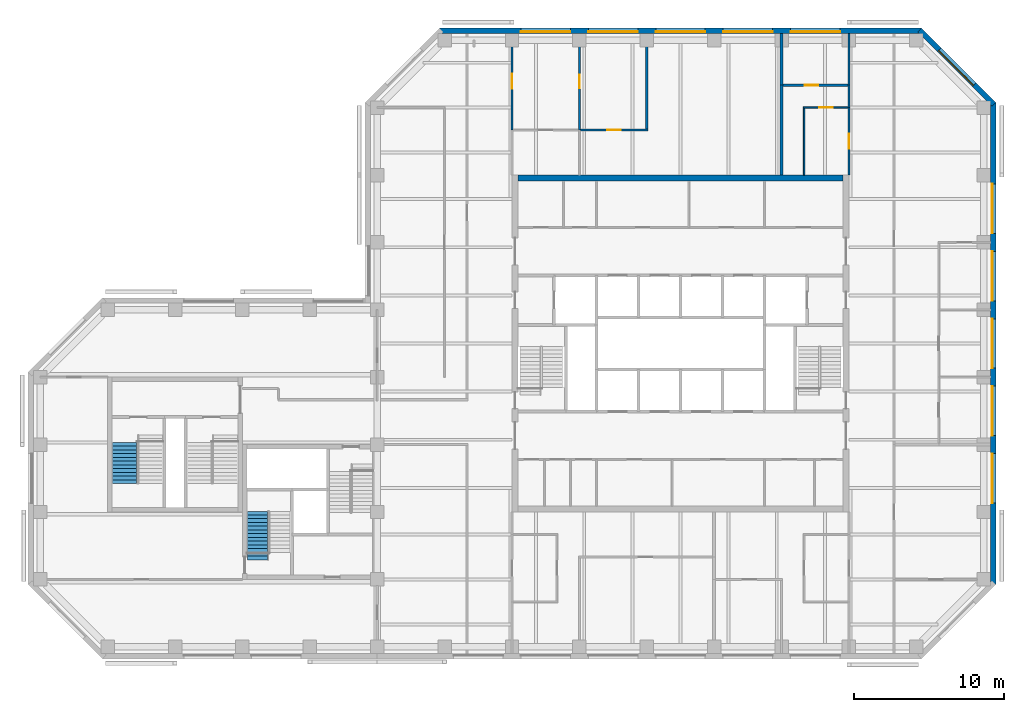
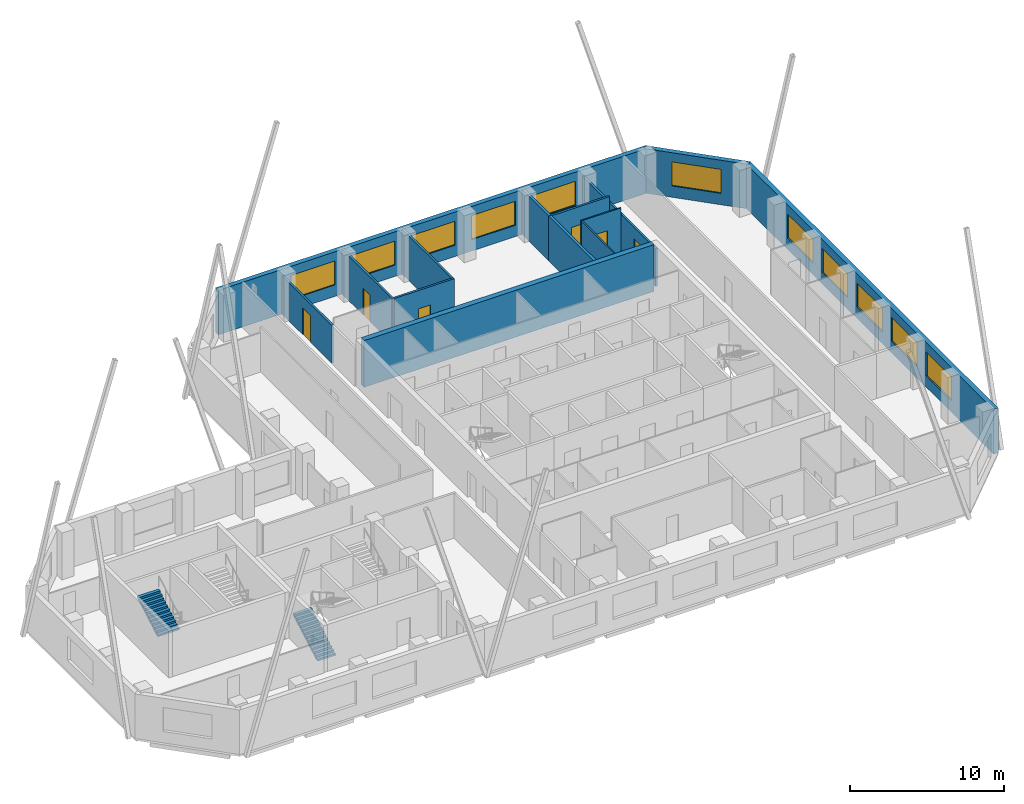
# One storey, part 7 of 9: 16 walls, 11 windows, 6 doors, 2 stair flights, 17 openings, 2 elements without a shape of their own.
"""IFC4 building model written with IfcOpenShell, lengths in metres."""

from ifc_helpers import new_model, si_unit, direction, frame, frame_2d, origin, place, context, subcontext, project, spatial, polyline, rectangle, outline, extrude, material, layer, layer_set, constituent, constituent_set, type_object, element, fill, aggregate, save


model = new_model("IFC4")

# Units and contexts
model_context = context("Model", 3, precision=1e-05, world=origin(), true_north=direction((0.0, 1.0)))
body_context = subcontext(model_context, "Body", "Model", "MODEL_VIEW")
ifc_project = project(units=[si_unit("LENGTHUNIT", "METRE"), si_unit("AREAUNIT", "SQUARE_METRE"), si_unit("VOLUMEUNIT", "CUBIC_METRE"), si_unit("PLANEANGLEUNIT", "RADIAN"), si_unit("MASSUNIT", "GRAM", prefix="KILO")], contexts=[model_context])

# Site, building, storey
site_placement = place(None, origin())
site = spatial("IfcSite", under=ifc_project, at=site_placement, CompositionType="ELEMENT")
building_placement = place(site_placement, origin())
building = spatial("IfcBuilding", under=site, at=building_placement, Name="Quoin Convention Tower", CompositionType="ELEMENT")
storey_placement = place(building_placement, frame((0.0, 0.0, 219.300048828125)))
storey = spatial("IfcBuildingStorey", under=building, at=storey_placement, Name="L57", CompositionType="ELEMENT", Elevation=219.300048828125)

# Wall, opening, door
ifc_material_1 = material(Name="Plasterboard")
ifc_layer_1 = layer(ifc_material_1, 0.012451171875, Name="Finish")
ifc_material_2 = material(Name="Steel stud framing", Category="steel")
ifc_layer_2 = layer(ifc_material_2, 0.125, Name="Structure")
ifc_layer_3 = layer(ifc_material_1, 0.012451171875, Name="Finish")
ifc_layer_set_1 = layer_set([ifc_layer_1, ifc_layer_2, ifc_layer_3], Name="Steel stud framing")
wall_type_1 = type_object("IfcWallType", Name="Acoustic partition 150", PredefinedType="PARTITIONING", material=ifc_layer_set_1)
wall_1_placement = place(storey_placement, frame((49.574951171875, 75.0, 0.0), z_axis=(0.0, 0.0, 1.0), x_axis=(1.0, 0.0, 0.0)))
wall_1 = element("IfcWall", 1, at=wall_1_placement, inside=storey, type_object=wall_type_1, Name="pw-L57-022", PredefinedType="PARTITIONING", context=body_context, shape_type="SweptSolid", body=[
    extrude(rectangle(XDim=4.5, YDim=0.14990234375, at=frame_2d((2.25, 0.0))), origin(), (0.0, 0.0, 1.0), 3.550048828125),
])
opening_1_placement = place(wall_1_placement, frame((1.800048828125, 0.0, 0.0)))
opening_1 = element("IfcOpeningElement", 2, at=opening_1_placement, cuts=wall_1, Name="Opening DOH9-06", PredefinedType="OPENING", context=body_context, shape_type="SweptSolid", body=[
    extrude(rectangle(XDim=0.89990234375, YDim=2.10009765625, at=frame_2d((0.449951171875, 1.050048828125))), frame((0.0, 0.0849609375, 0.0), z_axis=(0.0, -1.0, 0.0), x_axis=(1.0, 0.0, 0.0)), (0.0, 0.0, 1.0), 0.169921875),
])
ifc_material_3 = material(Name="Steel door leaf", Category="steel")
door_type_1 = type_object("IfcDoorType", Name="Office door 900 x 2100", OperationType="SINGLE_SWING_RIGHT", PredefinedType="DOOR", material=ifc_material_3)
door_1_placement = place(opening_1_placement, frame((0.89990234375, 0.0, 0.0), z_axis=(0.0, 0.0, 1.0), x_axis=(-1.0, 0.0, 0.0)))
door_1 = element("IfcDoor", 3, at=door_1_placement, inside=storey, type_object=door_type_1, Name="dr-L57-16", OperationType="SINGLE_SWING_LEFT", OverallHeight=2.10009765625, OverallWidth=0.89990234375, PredefinedType="DOOR", context=body_context, shape_type="SweptSolid", body=[
    extrude(rectangle(XDim=0.89990234375, YDim=2.10009765625, at=frame_2d((0.449951171875, 1.050048828125))), frame((0.0, 0.02490234375, 0.0), z_axis=(0.0, -1.0, 0.0), x_axis=(1.0, 0.0, 0.0)), (0.0, 0.0, 1.0), 0.050048828125),
])
fill(opening_1, door_1)

wall_2_placement = place(storey_placement, frame((63.10009765625, 78.0, 0.0), z_axis=(0.0, 0.0, 1.0), x_axis=(1.0, 0.0, 0.0)))
wall_2 = element("IfcWall", 4, at=wall_2_placement, inside=storey, type_object=wall_type_1, Name="pw-L57-024", PredefinedType="PARTITIONING", context=body_context, shape_type="SweptSolid", body=[
    extrude(rectangle(XDim=4.324951171875, YDim=0.14990234375, at=frame_2d((2.16259765625, 0.0))), origin(), (0.0, 0.0, 1.0), 3.550048828125),
])
opening_2_placement = place(wall_2_placement, frame((1.449951171875, 0.0, 0.0)))
opening_2 = element("IfcOpeningElement", 5, at=opening_2_placement, cuts=wall_2, Name="Opening DOH9-08", PredefinedType="OPENING", context=body_context, shape_type="SweptSolid", body=[
    extrude(rectangle(XDim=0.89990234375, YDim=2.10009765625, at=frame_2d((0.449951171875, 1.050048828125))), frame((0.0, 0.0849609375, 0.0), z_axis=(0.0, -1.0, 0.0), x_axis=(1.0, 0.0, 0.0)), (0.0, 0.0, 1.0), 0.169921875),
])
door_2_placement = place(opening_2_placement, origin())
door_2 = element("IfcDoor", 6, at=door_2_placement, inside=storey, type_object=door_type_1, Name="dr-L57-19", OperationType="SINGLE_SWING_LEFT", OverallHeight=2.10009765625, OverallWidth=0.89990234375, PredefinedType="DOOR", context=body_context, shape_type="SweptSolid", body=[
    extrude(rectangle(XDim=0.89990234375, YDim=2.10009765625, at=frame_2d((0.449951171875, 1.050048828125))), frame((0.0, 0.02490234375, 0.0), z_axis=(0.0, -1.0, 0.0), x_axis=(1.0, 0.0, 0.0)), (0.0, 0.0, 1.0), 0.050048828125),
])
fill(opening_2, door_2)

wall_3_placement = place(storey_placement, frame((49.5, 75.0, 0.0), z_axis=(0.0, 0.0, 1.0), x_axis=(0.0, 1.0, 0.0)))
wall_3 = element("IfcWall", 7, at=wall_3_placement, inside=storey, type_object=wall_type_1, Name="pw-L57-061", PredefinedType="PARTITIONING", context=body_context, shape_type="SweptSolid", body=[
    extrude(rectangle(XDim=6.449951171875, YDim=0.14990234375, at=frame_2d((3.22509765625, 0.0))), origin(), (0.0, 0.0, 1.0), 3.550048828125),
])
opening_3_placement = place(wall_3_placement, frame((2.800048828125, 0.0, 0.0)))
opening_3 = element("IfcOpeningElement", 8, at=opening_3_placement, cuts=wall_3, Name="Opening DOH9-21", PredefinedType="OPENING", context=body_context, shape_type="SweptSolid", body=[
    extrude(rectangle(XDim=0.89990234375, YDim=2.10009765625, at=frame_2d((0.449951171875, 1.050048828125))), frame((0.0, 0.0849609375, 0.0), z_axis=(0.0, -1.0, 0.0), x_axis=(1.0, 0.0, 0.0)), (0.0, 0.0, 1.0), 0.169921875),
])
door_3_placement = place(opening_3_placement, frame((0.89990234375, 0.0, 0.0), z_axis=(0.0, 0.0, 1.0), x_axis=(-1.0, 0.0, 0.0)))
door_3 = element("IfcDoor", 9, at=door_3_placement, inside=storey, type_object=door_type_1, Name="dr-L57-14", OperationType="SINGLE_SWING_LEFT", OverallHeight=2.10009765625, OverallWidth=0.89990234375, PredefinedType="DOOR", context=body_context, shape_type="SweptSolid", body=[
    extrude(rectangle(XDim=0.89990234375, YDim=2.10009765625, at=frame_2d((0.449951171875, 1.050048828125))), frame((0.0, 0.02490234375, 0.0), z_axis=(0.0, -1.0, 0.0), x_axis=(1.0, 0.0, 0.0)), (0.0, 0.0, 1.0), 0.050048828125),
])
fill(opening_3, door_3)

# Wall
wall_4_placement = place(storey_placement, frame((54.0, 75.074951171875, 0.0), z_axis=(0.0, 0.0, 1.0), x_axis=(0.0, 1.0, 0.0)))
element("IfcWall", 10, at=wall_4_placement, inside=storey, type_object=wall_type_1, Name="pw-L57-062", PredefinedType="PARTITIONING", context=body_context, shape_type="SweptSolid", body=[
    extrude(rectangle(XDim=6.375, YDim=0.14990234375, at=frame_2d((3.1875, 0.0))), origin(), (0.0, 0.0, 1.0), 3.550048828125),
])

# Wall, openings, windows
ifc_material_4 = material(Name="Brick masonry", Category="masonry")
ifc_layer_4 = layer(ifc_material_4, 0.35009765625)
ifc_layer_set_2 = layer_set([ifc_layer_4], Name="Brick masonry")
wall_type_2 = type_object("IfcWallType", Name="Brick facade wall", PredefinedType="STANDARD", material=ifc_layer_set_2)
wall_5_placement = place(storey_placement, frame((77.125, 44.668701171875, 0.0), z_axis=(0.0, 0.0, 1.0), x_axis=(0.0, 1.0, 0.0)))
wall_5 = element("IfcWall", 11, at=wall_5_placement, inside=storey, type_object=wall_type_2, Name="fw-L57-76500_45000", PredefinedType="STANDARD", context=body_context, shape_type="SweptSolid", body=[
    extrude(rectangle(XDim=32.16259765625, YDim=0.35009765625, at=frame_2d((16.081298828125, 0.0))), origin(), (0.0, 0.0, 1.0), 3.52490234375),
])
opening_4_placement = place(wall_5_placement, frame((5.431396484375, 0.0, 0.89990234375)))
opening_4 = element("IfcOpeningElement", 12, at=opening_4_placement, cuts=wall_5, Name="Opening W-02", PredefinedType="OPENING", context=body_context, shape_type="SweptSolid", body=[
    extrude(rectangle(XDim=3.300048828125, YDim=1.89990234375, at=frame_2d((1.64990234375, 0.949951171875))), frame((0.0, 0.18505859375, 0.0), z_axis=(0.0, -1.0, 0.0), x_axis=(1.0, 0.0, 0.0)), (0.0, 0.0, 1.0), 0.3701171875),
])
opening_5_placement = place(wall_5_placement, frame((9.931396484375, 0.0, 0.89990234375)))
opening_5 = element("IfcOpeningElement", 13, at=opening_5_placement, cuts=wall_5, Name="Opening W-02", PredefinedType="OPENING", context=body_context, shape_type="SweptSolid", body=[
    extrude(rectangle(XDim=3.300048828125, YDim=1.89990234375, at=frame_2d((1.64990234375, 0.949951171875))), frame((0.0, 0.18505859375, 0.0), z_axis=(0.0, -1.0, 0.0), x_axis=(1.0, 0.0, 0.0)), (0.0, 0.0, 1.0), 0.3701171875),
])
opening_6_placement = place(wall_5_placement, frame((14.431396484375, 0.0, 0.89990234375)))
opening_6 = element("IfcOpeningElement", 14, at=opening_6_placement, cuts=wall_5, Name="Opening W-02", PredefinedType="OPENING", context=body_context, shape_type="SweptSolid", body=[
    extrude(rectangle(XDim=3.300048828125, YDim=1.89990234375, at=frame_2d((1.64990234375, 0.949951171875))), frame((0.0, 0.18505859375, 0.0), z_axis=(0.0, -1.0, 0.0), x_axis=(1.0, 0.0, 0.0)), (0.0, 0.0, 1.0), 0.3701171875),
])
opening_7_placement = place(wall_5_placement, frame((18.931396484375, 0.0, 0.89990234375)))
opening_7 = element("IfcOpeningElement", 15, at=opening_7_placement, cuts=wall_5, Name="Opening W-02", PredefinedType="OPENING", context=body_context, shape_type="SweptSolid", body=[
    extrude(rectangle(XDim=3.300048828125, YDim=1.89990234375, at=frame_2d((1.64990234375, 0.949951171875))), frame((0.0, 0.18505859375, 0.0), z_axis=(0.0, -1.0, 0.0), x_axis=(1.0, 0.0, 0.0)), (0.0, 0.0, 1.0), 0.3701171875),
])
opening_8_placement = place(wall_5_placement, frame((23.431396484375, 0.0, 0.89990234375)))
opening_8 = element("IfcOpeningElement", 16, at=opening_8_placement, cuts=wall_5, Name="Opening W-02", PredefinedType="OPENING", context=body_context, shape_type="SweptSolid", body=[
    extrude(rectangle(XDim=3.300048828125, YDim=1.89990234375, at=frame_2d((1.64990234375, 0.949951171875))), frame((0.0, 0.18505859375, 0.0), z_axis=(0.0, -1.0, 0.0), x_axis=(1.0, 0.0, 0.0)), (0.0, 0.0, 1.0), 0.3701171875),
])
ifc_material_5 = material(Name="Aluminium", Category="aluminium")
ifc_constituent_1 = constituent(ifc_material_5, Name="Frame")
ifc_material_6 = material(Name="Insulated glass", Category="glass")
ifc_constituent_2 = constituent(ifc_material_6, Name="Glazing")
ifc_constituent_set = constituent_set(constituents=[ifc_constituent_1, ifc_constituent_2], Name="Aluminium")
window_type = type_object("IfcWindowType", Name="Office window", PartitioningType="DOUBLE_PANEL_VERTICAL", PredefinedType="WINDOW", material=ifc_constituent_set)
window_1_placement = place(opening_4_placement, origin())
window_1 = element("IfcWindow", 17, at=window_1_placement, inside=storey, type_object=window_type, Name="win-L57-77125_51750", OverallHeight=1.89990234375, OverallWidth=3.300048828125, PartitioningType="SINGLE_PANEL", PredefinedType="WINDOW", context=body_context, shape_type="SweptSolid", body=[
    extrude(rectangle(XDim=3.300048828125, YDim=1.89990234375, at=frame_2d((1.64990234375, 0.949951171875))), frame((0.0, 0.0849609375, 0.0), z_axis=(0.0, -1.0, 0.0), x_axis=(1.0, 0.0, 0.0)), (0.0, 0.0, 1.0), 0.06005859375),
])
fill(opening_4, window_1)
window_2_placement = place(opening_5_placement, origin())
window_2 = element("IfcWindow", 18, at=window_2_placement, inside=storey, type_object=window_type, Name="win-L57-77125_56250", OverallHeight=1.89990234375, OverallWidth=3.300048828125, PartitioningType="SINGLE_PANEL", PredefinedType="WINDOW", context=body_context, shape_type="SweptSolid", body=[
    extrude(rectangle(XDim=3.300048828125, YDim=1.89990234375, at=frame_2d((1.64990234375, 0.949951171875))), frame((0.0, 0.0849609375, 0.0), z_axis=(0.0, -1.0, 0.0), x_axis=(1.0, 0.0, 0.0)), (0.0, 0.0, 1.0), 0.06005859375),
])
fill(opening_5, window_2)
window_3_placement = place(opening_6_placement, origin())
window_3 = element("IfcWindow", 19, at=window_3_placement, inside=storey, type_object=window_type, Name="win-L57-77125_60750", OverallHeight=1.89990234375, OverallWidth=3.300048828125, PartitioningType="SINGLE_PANEL", PredefinedType="WINDOW", context=body_context, shape_type="SweptSolid", body=[
    extrude(rectangle(XDim=3.300048828125, YDim=1.89990234375, at=frame_2d((1.64990234375, 0.949951171875))), frame((0.0, 0.0849609375, 0.0), z_axis=(0.0, -1.0, 0.0), x_axis=(1.0, 0.0, 0.0)), (0.0, 0.0, 1.0), 0.06005859375),
])
fill(opening_6, window_3)
window_4_placement = place(opening_7_placement, origin())
window_4 = element("IfcWindow", 20, at=window_4_placement, inside=storey, type_object=window_type, Name="win-L57-77125_65250", OverallHeight=1.89990234375, OverallWidth=3.300048828125, PartitioningType="SINGLE_PANEL", PredefinedType="WINDOW", context=body_context, shape_type="SweptSolid", body=[
    extrude(rectangle(XDim=3.300048828125, YDim=1.89990234375, at=frame_2d((1.64990234375, 0.949951171875))), frame((0.0, 0.0849609375, 0.0), z_axis=(0.0, -1.0, 0.0), x_axis=(1.0, 0.0, 0.0)), (0.0, 0.0, 1.0), 0.06005859375),
])
fill(opening_7, window_4)
window_5_placement = place(opening_8_placement, origin())
window_5 = element("IfcWindow", 21, at=window_5_placement, inside=storey, type_object=window_type, Name="win-L57-77125_69750", OverallHeight=1.89990234375, OverallWidth=3.300048828125, PartitioningType="SINGLE_PANEL", PredefinedType="WINDOW", context=body_context, shape_type="SweptSolid", body=[
    extrude(rectangle(XDim=3.300048828125, YDim=1.89990234375, at=frame_2d((1.64990234375, 0.949951171875))), frame((0.0, 0.0849609375, 0.0), z_axis=(0.0, -1.0, 0.0), x_axis=(1.0, 0.0, 0.0)), (0.0, 0.0, 1.0), 0.06005859375),
])
fill(opening_8, window_5)

# Wall, opening, window
wall_6_placement = place(storey_placement, frame((77.17626953125, 76.70751953125, 0.0), z_axis=(0.0, 0.0, 1.0), x_axis=(-0.707106781187, 0.707106781187, 0.0)))
wall_6 = element("IfcWall", 22, at=wall_6_placement, inside=storey, type_object=wall_type_2, Name="fw-L57-76500_76500", PredefinedType="STANDARD", context=body_context, shape_type="SweptSolid", body=[
    extrude(rectangle(XDim=7.02685546875, YDim=0.35009765625, at=frame_2d((3.513427734375, 0.0))), origin(), (0.0, 0.0, 1.0), 3.52490234375),
])
opening_9_placement = place(wall_6_placement, frame((1.86328125, 0.0, 0.89990234375)))
opening_9 = element("IfcOpeningElement", 23, at=opening_9_placement, cuts=wall_6, Name="Opening W-02", PredefinedType="OPENING", context=body_context, shape_type="SweptSolid", body=[
    extrude(rectangle(XDim=3.300048828125, YDim=1.89990234375, at=frame_2d((1.64990234375, 0.949951171875))), frame((0.0, 0.18505859375, 0.0), z_axis=(0.0, -1.0, 0.0), x_axis=(1.0, 0.0, 0.0)), (0.0, 0.0, 1.0), 0.3701171875),
])
window_6_placement = place(opening_9_placement, origin())
window_6 = element("IfcWindow", 24, at=window_6_placement, inside=storey, type_object=window_type, Name="win-L57-74692_79192", OverallHeight=1.89990234375, OverallWidth=3.300048828125, PartitioningType="SINGLE_PANEL", PredefinedType="WINDOW", context=body_context, shape_type="SweptSolid", body=[
    extrude(rectangle(XDim=3.300048828125, YDim=1.89990234375, at=frame_2d((1.64990234375, 0.949951171875))), frame((0.0, 0.0849609375, 0.0), z_axis=(0.0, -1.0, 0.0), x_axis=(1.0, 0.0, 0.0)), (0.0, 0.0, 1.0), 0.06005859375),
])
fill(opening_9, window_6)

# Wall, openings, windows
wall_7_placement = place(storey_placement, frame((72.331298828125, 81.625, 0.0), z_axis=(0.0, 0.0, 1.0), x_axis=(-1.0, 0.0, 0.0)))
wall_7 = element("IfcWall", 25, at=wall_7_placement, inside=storey, type_object=wall_type_2, Name="fw-L57-72000_81000", PredefinedType="STANDARD", context=body_context, shape_type="SweptSolid", body=[
    extrude(rectangle(XDim=32.16259765625, YDim=0.35009765625, at=frame_2d((16.081298828125, 0.0))), origin(), (0.0, 0.0, 1.0), 3.52490234375),
])
opening_10_placement = place(wall_7_placement, frame((5.431396484375, 0.0, 0.89990234375)))
opening_10 = element("IfcOpeningElement", 26, at=opening_10_placement, cuts=wall_7, Name="Opening W-02", PredefinedType="OPENING", context=body_context, shape_type="SweptSolid", body=[
    extrude(rectangle(XDim=3.300048828125, YDim=1.89990234375, at=frame_2d((1.64990234375, 0.949951171875))), frame((0.0, 0.18505859375, 0.0), z_axis=(0.0, -1.0, 0.0), x_axis=(1.0, 0.0, 0.0)), (0.0, 0.0, 1.0), 0.3701171875),
])
opening_11_placement = place(wall_7_placement, frame((9.931396484375, 0.0, 0.89990234375)))
opening_11 = element("IfcOpeningElement", 27, at=opening_11_placement, cuts=wall_7, Name="Opening W-02", PredefinedType="OPENING", context=body_context, shape_type="SweptSolid", body=[
    extrude(rectangle(XDim=3.300048828125, YDim=1.89990234375, at=frame_2d((1.64990234375, 0.949951171875))), frame((0.0, 0.18505859375, 0.0), z_axis=(0.0, -1.0, 0.0), x_axis=(1.0, 0.0, 0.0)), (0.0, 0.0, 1.0), 0.3701171875),
])
opening_12_placement = place(wall_7_placement, frame((14.431396484375, 0.0, 0.89990234375)))
opening_12 = element("IfcOpeningElement", 28, at=opening_12_placement, cuts=wall_7, Name="Opening W-02", PredefinedType="OPENING", context=body_context, shape_type="SweptSolid", body=[
    extrude(rectangle(XDim=3.300048828125, YDim=1.89990234375, at=frame_2d((1.64990234375, 0.949951171875))), frame((0.0, 0.18505859375, 0.0), z_axis=(0.0, -1.0, 0.0), x_axis=(1.0, 0.0, 0.0)), (0.0, 0.0, 1.0), 0.3701171875),
])
opening_13_placement = place(wall_7_placement, frame((18.931396484375, 0.0, 0.89990234375)))
opening_13 = element("IfcOpeningElement", 29, at=opening_13_placement, cuts=wall_7, Name="Opening W-02", PredefinedType="OPENING", context=body_context, shape_type="SweptSolid", body=[
    extrude(rectangle(XDim=3.300048828125, YDim=1.89990234375, at=frame_2d((1.64990234375, 0.949951171875))), frame((0.0, 0.18505859375, 0.0), z_axis=(0.0, -1.0, 0.0), x_axis=(1.0, 0.0, 0.0)), (0.0, 0.0, 1.0), 0.3701171875),
])
opening_14_placement = place(wall_7_placement, frame((23.431396484375, 0.0, 0.89990234375)))
opening_14 = element("IfcOpeningElement", 30, at=opening_14_placement, cuts=wall_7, Name="Opening W-02", PredefinedType="OPENING", context=body_context, shape_type="SweptSolid", body=[
    extrude(rectangle(XDim=3.300048828125, YDim=1.89990234375, at=frame_2d((1.64990234375, 0.949951171875))), frame((0.0, 0.18505859375, 0.0), z_axis=(0.0, -1.0, 0.0), x_axis=(1.0, 0.0, 0.0)), (0.0, 0.0, 1.0), 0.3701171875),
])
window_7_placement = place(opening_10_placement, origin())
window_7 = element("IfcWindow", 31, at=window_7_placement, inside=storey, type_object=window_type, Name="win-L57-65250_81625", OverallHeight=1.89990234375, OverallWidth=3.300048828125, PartitioningType="SINGLE_PANEL", PredefinedType="WINDOW", context=body_context, shape_type="SweptSolid", body=[
    extrude(rectangle(XDim=3.300048828125, YDim=1.89990234375, at=frame_2d((1.64990234375, 0.949951171875))), frame((0.0, 0.0849609375, 0.0), z_axis=(0.0, -1.0, 0.0), x_axis=(1.0, 0.0, 0.0)), (0.0, 0.0, 1.0), 0.06005859375),
])
fill(opening_10, window_7)
window_8_placement = place(opening_11_placement, origin())
window_8 = element("IfcWindow", 32, at=window_8_placement, inside=storey, type_object=window_type, Name="win-L57-60750_81625", OverallHeight=1.89990234375, OverallWidth=3.300048828125, PartitioningType="SINGLE_PANEL", PredefinedType="WINDOW", context=body_context, shape_type="SweptSolid", body=[
    extrude(rectangle(XDim=3.300048828125, YDim=1.89990234375, at=frame_2d((1.64990234375, 0.949951171875))), frame((0.0, 0.0849609375, 0.0), z_axis=(0.0, -1.0, 0.0), x_axis=(1.0, 0.0, 0.0)), (0.0, 0.0, 1.0), 0.06005859375),
])
fill(opening_11, window_8)
window_9_placement = place(opening_12_placement, origin())
window_9 = element("IfcWindow", 33, at=window_9_placement, inside=storey, type_object=window_type, Name="win-L57-56250_81625", OverallHeight=1.89990234375, OverallWidth=3.300048828125, PartitioningType="SINGLE_PANEL", PredefinedType="WINDOW", context=body_context, shape_type="SweptSolid", body=[
    extrude(rectangle(XDim=3.300048828125, YDim=1.89990234375, at=frame_2d((1.64990234375, 0.949951171875))), frame((0.0, 0.0849609375, 0.0), z_axis=(0.0, -1.0, 0.0), x_axis=(1.0, 0.0, 0.0)), (0.0, 0.0, 1.0), 0.06005859375),
])
fill(opening_12, window_9)
window_10_placement = place(opening_13_placement, origin())
window_10 = element("IfcWindow", 34, at=window_10_placement, inside=storey, type_object=window_type, Name="win-L57-51750_81625", OverallHeight=1.89990234375, OverallWidth=3.300048828125, PartitioningType="SINGLE_PANEL", PredefinedType="WINDOW", context=body_context, shape_type="SweptSolid", body=[
    extrude(rectangle(XDim=3.300048828125, YDim=1.89990234375, at=frame_2d((1.64990234375, 0.949951171875))), frame((0.0, 0.0849609375, 0.0), z_axis=(0.0, -1.0, 0.0), x_axis=(1.0, 0.0, 0.0)), (0.0, 0.0, 1.0), 0.06005859375),
])
fill(opening_13, window_10)
window_11_placement = place(opening_14_placement, origin())
window_11 = element("IfcWindow", 35, at=window_11_placement, inside=storey, type_object=window_type, Name="win-L57-47250_81625", OverallHeight=1.89990234375, OverallWidth=3.300048828125, PartitioningType="SINGLE_PANEL", PredefinedType="WINDOW", context=body_context, shape_type="SweptSolid", body=[
    extrude(rectangle(XDim=3.300048828125, YDim=1.89990234375, at=frame_2d((1.64990234375, 0.949951171875))), frame((0.0, 0.0849609375, 0.0), z_axis=(0.0, -1.0, 0.0), x_axis=(1.0, 0.0, 0.0)), (0.0, 0.0, 1.0), 0.06005859375),
])
fill(opening_14, window_11)

# Wall, opening, door
ifc_layer_5 = layer(ifc_material_1, 0.012451171875, Name="Finish")
ifc_layer_6 = layer(ifc_material_2, 0.125, Name="Structure")
ifc_layer_7 = layer(ifc_material_1, 0.012451171875, Name="Finish")
ifc_layer_set_3 = layer_set([ifc_layer_5, ifc_layer_6, ifc_layer_7], Name="Steel stud framing")
wall_type_3 = type_object("IfcWallType", Name="Corridor wall 150 under beam 528", PredefinedType="PARTITIONING", material=ifc_layer_set_3)
wall_8_placement = place(storey_placement, frame((67.5, 72.0, 0.0), z_axis=(0.0, 0.0, 1.0), x_axis=(0.0, 1.0, 0.0)))
wall_8 = element("IfcWall", 36, at=wall_8_placement, inside=storey, type_object=wall_type_3, Name="pw-L57-059", PredefinedType="PARTITIONING", context=body_context, shape_type="SweptSolid", body=[
    extrude(rectangle(XDim=4.5, YDim=0.14990234375, at=frame_2d((2.25, 0.0))), origin(), (0.0, 0.0, 1.0), 3.02197265625),
])
opening_15_placement = place(wall_8_placement, frame((1.75, 0.0, 0.0)))
opening_15 = element("IfcOpeningElement", 37, at=opening_15_placement, cuts=wall_8, Name="Opening DOH9-19", PredefinedType="OPENING", context=body_context, shape_type="SweptSolid", body=[
    extrude(rectangle(XDim=1.0, YDim=2.10009765625, at=frame_2d((0.5, 1.050048828125))), frame((0.0, 0.0849609375, 0.0), z_axis=(0.0, -1.0, 0.0), x_axis=(1.0, 0.0, 0.0)), (0.0, 0.0, 1.0), 0.169921875),
])
door_type_2 = type_object("IfcDoorType", Name="Tenancy entrance door 1000 x 2100", OperationType="DOUBLE_DOOR_SINGLE_SWING", PredefinedType="DOOR", material=ifc_material_3)
door_4_placement = place(opening_15_placement, frame((1.0, 0.0, 0.0), z_axis=(0.0, 0.0, 1.0), x_axis=(-1.0, 0.0, 0.0)))
door_4 = element("IfcDoor", 38, at=door_4_placement, inside=storey, type_object=door_type_2, Name="dr-L57-17", OperationType="DOUBLE_DOOR_SINGLE_SWING", OverallHeight=2.10009765625, OverallWidth=1.0, PredefinedType="DOOR", context=body_context, shape_type="SweptSolid", body=[
    extrude(rectangle(XDim=1.0, YDim=2.10009765625, at=frame_2d((0.5, 1.050048828125))), frame((0.0, 0.02490234375, 0.0), z_axis=(0.0, -1.0, 0.0), x_axis=(1.0, 0.0, 0.0)), (0.0, 0.0, 1.0), 0.050048828125),
])
fill(opening_15, door_4)

wall_9_placement = place(storey_placement, frame((45.0, 75.0, 0.0), z_axis=(0.0, 0.0, 1.0), x_axis=(0.0, 1.0, 0.0)))
wall_9 = element("IfcWall", 39, at=wall_9_placement, inside=storey, type_object=wall_type_3, Name="pw-L57-060", PredefinedType="PARTITIONING", context=body_context, shape_type="SweptSolid", body=[
    extrude(rectangle(XDim=6.449951171875, YDim=0.14990234375, at=frame_2d((3.22509765625, 0.0))), origin(), (0.0, 0.0, 1.0), 3.02197265625),
])
opening_16_placement = place(wall_9_placement, frame((2.75, 0.0, 0.0)))
opening_16 = element("IfcOpeningElement", 40, at=opening_16_placement, cuts=wall_9, Name="Opening DOH9-20", PredefinedType="OPENING", context=body_context, shape_type="SweptSolid", body=[
    extrude(rectangle(XDim=1.0, YDim=2.10009765625, at=frame_2d((0.5, 1.050048828125))), frame((0.0, 0.0849609375, 0.0), z_axis=(0.0, -1.0, 0.0), x_axis=(1.0, 0.0, 0.0)), (0.0, 0.0, 1.0), 0.169921875),
])
door_5_placement = place(opening_16_placement, origin())
door_5 = element("IfcDoor", 41, at=door_5_placement, inside=storey, type_object=door_type_2, Name="dr-L57-13", OperationType="DOUBLE_DOOR_SINGLE_SWING", OverallHeight=2.10009765625, OverallWidth=1.0, PredefinedType="DOOR", context=body_context, shape_type="SweptSolid", body=[
    extrude(rectangle(XDim=1.0, YDim=2.10009765625, at=frame_2d((0.5, 1.050048828125))), frame((0.0, 0.02490234375, 0.0), z_axis=(0.0, -1.0, 0.0), x_axis=(1.0, 0.0, 0.0)), (0.0, 0.0, 1.0), 0.050048828125),
])
fill(opening_16, door_5)

# Walls
wall_10_placement = place(storey_placement, frame((67.5, 76.5, 0.0), z_axis=(0.0, 0.0, 1.0), x_axis=(0.0, 1.0, 0.0)))
element("IfcWall", 42, at=wall_10_placement, inside=storey, type_object=wall_type_3, Name="pw-L57-063", PredefinedType="PARTITIONING", context=body_context, shape_type="SweptSolid", body=[
    extrude(rectangle(XDim=1.5, YDim=0.14990234375, at=frame_2d((0.75, 0.0))), origin(), (0.0, 0.0, 1.0), 3.02197265625),
])
wall_11_placement = place(storey_placement, frame((67.5, 78.0, 0.0), z_axis=(0.0, 0.0, 1.0), x_axis=(0.0, 1.0, 0.0)))
element("IfcWall", 43, at=wall_11_placement, inside=storey, type_object=wall_type_3, Name="pw-L57-065", PredefinedType="PARTITIONING", context=body_context, shape_type="SweptSolid", body=[
    extrude(rectangle(XDim=3.449951171875, YDim=0.14990234375, at=frame_2d((1.72509765625, 0.0))), origin(), (0.0, 0.0, 1.0), 3.02197265625),
])
ifc_material_7 = material(Name="Concrete C50", Category="concrete")
ifc_layer_8 = layer(ifc_material_7, 0.39990234375)
ifc_layer_set_4 = layer_set([ifc_layer_8], Name="Concrete C50")
wall_type_4 = type_object("IfcWallType", Name="RC CORE WALL 400 C50", PredefinedType="SHEAR", material=ifc_layer_set_4)
wall_12_placement = place(storey_placement, frame((45.39990234375, 71.800048828125, 0.0), z_axis=(0.0, 0.0, 1.0), x_axis=(1.0, 0.0, 0.0)))
element("IfcWall", 44, at=wall_12_placement, inside=storey, type_object=wall_type_4, Name="cwl-C1-L57-N", PredefinedType="SHEAR", context=body_context, shape_type="SweptSolid", body=[
    extrude(rectangle(XDim=21.7001953125, YDim=0.39990234375, at=frame_2d((10.85009765625, 0.0))), origin(), (0.0, 0.0, 1.0), 3.699951171875),
])

# Wall, opening, door
ifc_layer_9 = layer(ifc_material_1, 0.012451171875, Name="Finish")
ifc_layer_10 = layer(ifc_material_2, 0.074951171875, Name="Structure")
ifc_layer_11 = layer(ifc_material_1, 0.012451171875, Name="Finish")
ifc_layer_set_5 = layer_set([ifc_layer_9, ifc_layer_10, ifc_layer_11], Name="Steel stud framing")
wall_type_5 = type_object("IfcWallType", Name="Stud partition 100", PredefinedType="PARTITIONING", material=ifc_layer_set_5)
wall_13_placement = place(storey_placement, frame((64.449951171875, 76.5, 0.0), z_axis=(0.0, 0.0, 1.0), x_axis=(1.0, 0.0, 0.0)))
wall_13 = element("IfcWall", 45, at=wall_13_placement, inside=storey, type_object=wall_type_5, Name="pw-L57-023", PredefinedType="PARTITIONING", context=body_context, shape_type="SweptSolid", body=[
    extrude(rectangle(XDim=2.97509765625, YDim=0.10009765625, at=frame_2d((1.487548828125, 0.0))), origin(), (0.0, 0.0, 1.0), 3.550048828125),
])
opening_17_placement = place(wall_13_placement, frame((1.050048828125, 0.0, 0.0)))
opening_17 = element("IfcOpeningElement", 46, at=opening_17_placement, cuts=wall_13, Name="Opening DOH9-07", PredefinedType="OPENING", context=body_context, shape_type="SweptSolid", body=[
    extrude(rectangle(XDim=0.89990234375, YDim=2.10009765625, at=frame_2d((0.449951171875, 1.050048828125))), frame((0.0, 0.06005859375, 0.0), z_axis=(0.0, -1.0, 0.0), x_axis=(1.0, 0.0, 0.0)), (0.0, 0.0, 1.0), 0.1201171875),
])
door_6_placement = place(opening_17_placement, origin())
door_6 = element("IfcDoor", 47, at=door_6_placement, inside=storey, type_object=door_type_1, Name="dr-L57-18", OperationType="SINGLE_SWING_RIGHT", OverallHeight=2.10009765625, OverallWidth=0.89990234375, PredefinedType="DOOR", context=body_context, shape_type="SweptSolid", body=[
    extrude(rectangle(XDim=0.89990234375, YDim=2.10009765625, at=frame_2d((0.449951171875, 1.050048828125))), frame((0.0, 0.02490234375, 0.0), z_axis=(0.0, -1.0, 0.0), x_axis=(1.0, 0.0, 0.0)), (0.0, 0.0, 1.0), 0.050048828125),
])
fill(opening_17, door_6)

# Walls
wall_14_placement = place(storey_placement, frame((64.5, 72.0, 0.0), z_axis=(0.0, 0.0, 1.0), x_axis=(0.0, 1.0, 0.0)))
element("IfcWall", 48, at=wall_14_placement, inside=storey, type_object=wall_type_5, Name="pw-L57-058", PredefinedType="PARTITIONING", context=body_context, shape_type="SweptSolid", body=[
    extrude(rectangle(XDim=4.449951171875, YDim=0.10009765625, at=frame_2d((2.22509765625, 0.0))), origin(), (0.0, 0.0, 1.0), 3.550048828125),
])
ifc_layer_12 = layer(ifc_material_1, 0.012451171875, Name="Finish")
ifc_layer_13 = layer(ifc_material_2, 0.175048828125, Name="Structure")
ifc_layer_14 = layer(ifc_material_1, 0.012451171875, Name="Finish")
ifc_layer_set_6 = layer_set([ifc_layer_12, ifc_layer_13, ifc_layer_14], Name="Steel stud framing")
wall_type_6 = type_object("IfcWallType", Name="Tenancy demising wall 200", PredefinedType="PARTITIONING", material=ifc_layer_set_6)
wall_15_placement = place(storey_placement, frame((63.0, 72.0, 0.0), z_axis=(0.0, 0.0, 1.0), x_axis=(0.0, 1.0, 0.0)))
element("IfcWall", 49, at=wall_15_placement, inside=storey, type_object=wall_type_6, Name="pw-L57-057", PredefinedType="PARTITIONING", context=body_context, shape_type="SweptSolid", body=[
    extrude(rectangle(XDim=6.0, YDim=0.199951171875, at=frame_2d((3.0, 0.0))), origin(), (0.0, 0.0, 1.0), 3.550048828125),
])
wall_16_placement = place(storey_placement, frame((63.0, 78.0, 0.0), z_axis=(0.0, 0.0, 1.0), x_axis=(0.0, 1.0, 0.0)))
element("IfcWall", 50, at=wall_16_placement, inside=storey, type_object=wall_type_6, Name="pw-L57-064", PredefinedType="PARTITIONING", context=body_context, shape_type="SweptSolid", body=[
    extrude(rectangle(XDim=3.449951171875, YDim=0.199951171875, at=frame_2d((1.72509765625, 0.0))), origin(), (0.0, 0.0, 1.0), 3.550048828125),
])

# Stair, stair flight
ifc_material_8 = material(Name="Concrete C40", Category="concrete")
stair_type_1 = type_object("IfcStairType", Name="Exit stair two-flight 1350", PredefinedType="HALF_TURN_STAIR", material=ifc_material_8)
stair_1_placement = place(storey_placement, origin())
stair_1 = element("IfcStair", 51, at=stair_1_placement, inside=storey, type_object=stair_type_1, Name="SD3 L57", PredefinedType="HALF_TURN_STAIR")
stair_flight_type_1 = type_object("IfcStairFlightType", Name="Stair flight 1350", PredefinedType="STRAIGHT", material=ifc_material_8)
stair_flight_1_placement = place(storey_placement, frame((28.0, 46.300048828125, 0.0), z_axis=(0.0, 0.0, 1.0), x_axis=(0.0, 1.0, 0.0)))
stair_flight_1 = element("IfcStairFlight", 52, at=stair_flight_1_placement, type_object=stair_flight_type_1, Name="ST3 flight 1", NumberOfRisers=14, NumberOfTreads=13, PredefinedType="STRAIGHT", RiserHeight=0.142307692, TreadLength=0.25, context=body_context, shape_type="SweptSolid", body=[
    extrude(outline(polyline([(0.0, 0.0), (0.0, 0.142333984375), (0.25, 0.142333984375), (0.25, 0.28466796875), (0.5, 0.28466796875), (0.5, 0.427001953125), (0.75, 0.427001953125), (0.75, 0.5693359375), (1.0, 0.5693359375), (1.0, 0.71142578125), (1.25, 0.71142578125), (1.25, 0.853759765625), (1.5, 0.853759765625), (1.5, 0.99609375), (1.75, 0.99609375), (1.75, 1.138427734375), (2.0, 1.138427734375), (2.0, 1.28076171875), (2.25, 1.28076171875), (2.25, 1.423095703125), (2.5, 1.423095703125), (2.5, 1.5654296875), (2.75, 1.5654296875), (2.75, 1.707763671875), (3.0, 1.707763671875), (3.0, 1.85009765625), (3.25, 1.85009765625), (3.25, 1.9921875), (3.25, 1.711669921875), (0.242919921875, 0.0), (0.0, 0.0)])), frame((0.0, 0.675048828125, 0.0), z_axis=(0.0, -1.0, 0.0), x_axis=(1.0, 0.0, 0.0)), (0.0, 0.0, 1.0), 1.35009765625),
])
aggregate(stair_1, [stair_flight_1])

stair_type_2 = type_object("IfcStairType", Name="Exit stair two-flight 1600", PredefinedType="HALF_TURN_STAIR", material=ifc_material_8)
stair_2_placement = place(storey_placement, origin())
stair_2 = element("IfcStair", 53, at=stair_2_placement, inside=storey, type_object=stair_type_2, Name="SD11 L57", PredefinedType="HALF_TURN_STAIR")
stair_flight_type_2 = type_object("IfcStairFlightType", Name="Stair flight 1600", PredefinedType="STRAIGHT", material=ifc_material_8)
stair_flight_2_placement = place(storey_placement, frame((19.125, 51.39990234375, 1.9921875), z_axis=(0.0, 0.0, 1.0), x_axis=(0.0, 1.0, 0.0)))
stair_flight_2 = element("IfcStairFlight", 54, at=stair_flight_2_placement, type_object=stair_flight_type_2, Name="ST11 flight 2", NumberOfRisers=12, NumberOfTreads=11, PredefinedType="STRAIGHT", RiserHeight=0.142307692, TreadLength=0.25, context=body_context, shape_type="SweptSolid", body=[
    extrude(outline(polyline([(0.0, 0.0), (0.0, 0.142333984375), (0.25, 0.142333984375), (0.25, 0.28466796875), (0.5, 0.28466796875), (0.5, 0.427001953125), (0.75, 0.427001953125), (0.75, 0.5693359375), (1.0, 0.5693359375), (1.0, 0.71142578125), (1.25, 0.71142578125), (1.25, 0.853759765625), (1.5, 0.853759765625), (1.5, 0.99609375), (1.75, 0.99609375), (1.75, 1.138427734375), (2.0, 1.138427734375), (2.0, 1.28076171875), (2.25, 1.28076171875), (2.25, 1.423095703125), (2.5, 1.423095703125), (2.5, 1.5654296875), (2.75, 1.5654296875), (2.75, 1.707763671875), (2.75, 1.42724609375), (0.242919921875, 0.0), (0.0, 0.0)])), frame((0.0, 0.800048828125, 0.0), z_axis=(0.0, -1.0, 0.0), x_axis=(1.0, 0.0, 0.0)), (0.0, 0.0, 1.0), 1.60009765625),
])
aggregate(stair_2, [stair_flight_2])

save(model, "model.ifc")
